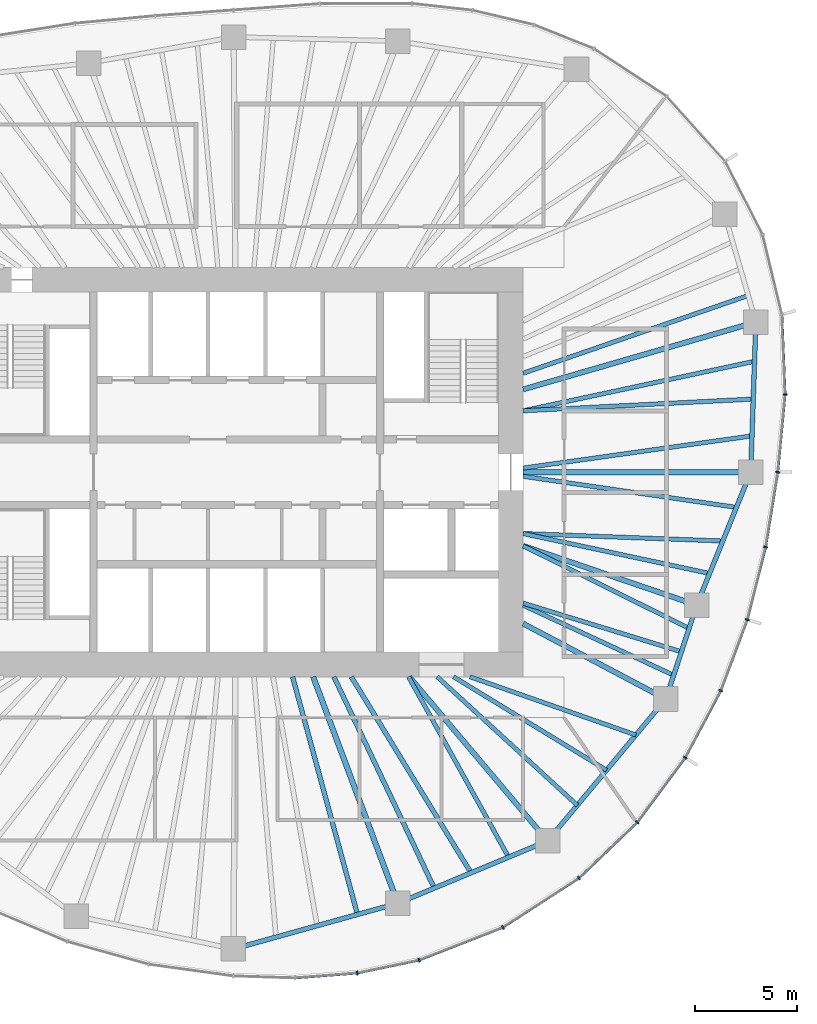
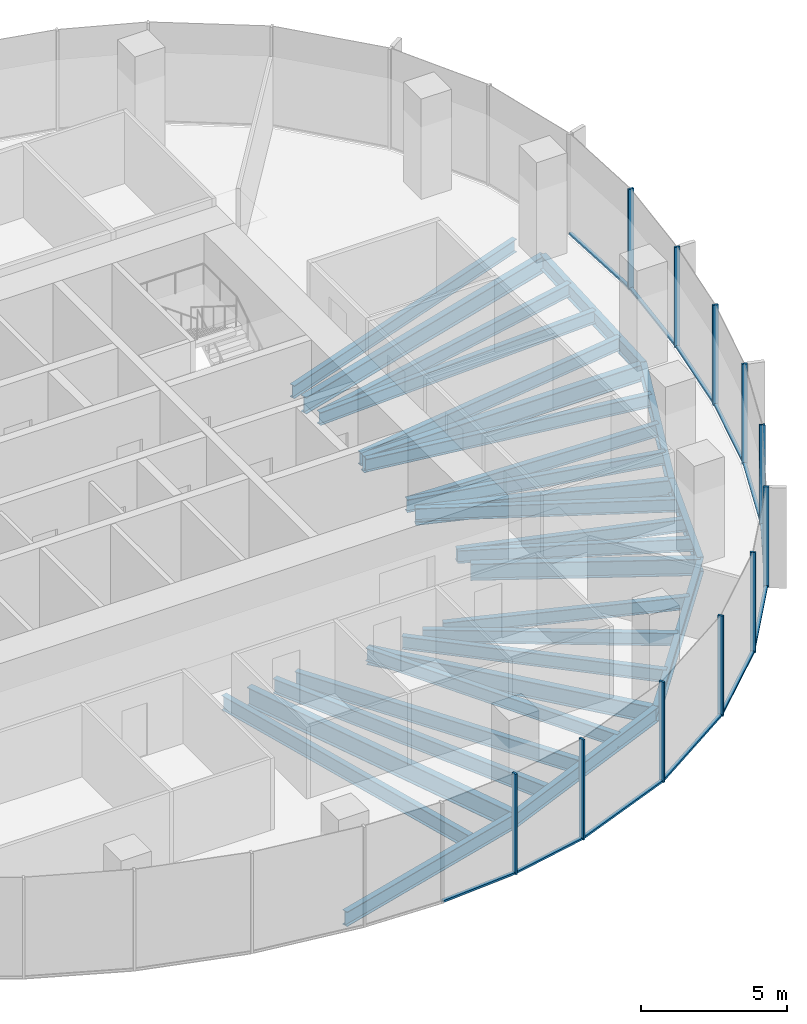
# One storey, part 4 of 12: 29 beams, 23 members, 6 elements without a shape of their own.
"""IFC4 building model written with IfcOpenShell, lengths in metres."""

from ifc_helpers import new_model, si_unit, direction, frame, origin, origin_2d, place, context, subcontext, project, spatial, rectangle, i_section, extrude, material, material_profile, profile_set, type_object, element, aggregate, save


model = new_model("IFC4")

# Units and contexts
model_context = context("Model", 3, precision=1e-05, world=origin(), true_north=direction((0.0, 1.0)))
body_context = subcontext(model_context, "Body", "Model", "MODEL_VIEW")
ifc_project = project(units=[si_unit("LENGTHUNIT", "METRE"), si_unit("AREAUNIT", "SQUARE_METRE"), si_unit("VOLUMEUNIT", "CUBIC_METRE"), si_unit("PLANEANGLEUNIT", "RADIAN"), si_unit("MASSUNIT", "GRAM", prefix="KILO")], contexts=[model_context])

# Site, building, storey
site_placement = place(None, origin())
site = spatial("IfcSite", under=ifc_project, at=site_placement, CompositionType="ELEMENT")
building_placement = place(site_placement, origin())
building = spatial("IfcBuilding", under=site, at=building_placement, Name="Ghaith Harvest Tower", CompositionType="ELEMENT")
storey_placement = place(building_placement, frame((0.0, 0.0, 236.800048828125)))
storey = spatial("IfcBuildingStorey", under=building, at=storey_placement, Name="L52", CompositionType="ELEMENT", Elevation=236.800048828125)

# Curtain wall, members
ifc_material_1 = material(Name="Black anodised aluminium and fritted glass", Category="aluminium")
curtain_wall_type = type_object("IfcCurtainWallType", Name="CW-H CURTAIN WALL", PredefinedType="NOTDEFINED", material=ifc_material_1)
curtain_wall_1_placement = place(storey_placement, origin())
curtain_wall_1 = element("IfcCurtainWall", 1, at=curtain_wall_1_placement, inside=storey, type_object=curtain_wall_type, Name="Curtain wall CW-H bay 01 L52", PredefinedType="NOTDEFINED")
ifc_material_2 = material(Name="Aluminium, black anodised", Category="aluminium")
ifc_material_profile_1 = material_profile(ifc_material_2, rectangle(XDim=0.080078125, YDim=0.199951171875, at=origin_2d()), Name="CW-H MULLION 80x200")
ifc_profile_set_1 = profile_set([ifc_material_profile_1], Name="Aluminium, black anodised")
member_type_1 = type_object("IfcMemberType", Name="CW-H MULLION 80x200", PredefinedType="MULLION", material=ifc_profile_set_1)
member_1_placement = place(storey_placement, frame((26.445068359375, 0.0, 0.0), z_axis=(0.0, 0.0, 1.0), x_axis=(0.126567624553, 0.991957981174, 0.0)))
member_1 = element("IfcMember", 2, at=member_1_placement, type_object=member_type_1, Name="CW-H mullion 1 bay 01 L52", PredefinedType="MULLION", context=body_context, shape_type="SweptSolid", body=[
    extrude(rectangle(XDim=0.080078125, YDim=0.199951171875, at=origin_2d()), origin(), (0.0, 0.0, 1.0), 4.199951171875),
])
member_2_placement = place(storey_placement, frame((26.804443359375, 3.7958984375, 0.0), z_axis=(0.0, 0.0, 1.0), x_axis=(0.026142797814, 0.999658218654, 0.0)))
member_2 = element("IfcMember", 3, at=member_2_placement, type_object=member_type_1, Name="CW-H mullion 2 bay 01 L52", PredefinedType="MULLION", context=body_context, shape_type="SweptSolid", body=[
    extrude(rectangle(XDim=0.080078125, YDim=0.199951171875, at=origin_2d()), origin(), (0.0, 0.0, 1.0), 4.199951171875),
])

# Curtain wall, member
curtain_wall_2_placement = place(storey_placement, origin())
curtain_wall_2 = element("IfcCurtainWall", 4, at=curtain_wall_2_placement, inside=storey, type_object=curtain_wall_type, Name="Curtain wall CW-H bay 16 L52", PredefinedType="NOTDEFINED")
member_3_placement = place(storey_placement, frame((5.893310546875, -24.48291015625, 0.0), z_axis=(0.0, 0.0, 1.0), x_axis=(0.989849191496, 0.142121701704, 0.0)))
member_3 = element("IfcMember", 5, at=member_3_placement, type_object=member_type_1, Name="CW-H mullion 3 bay 16 L52", PredefinedType="MULLION", context=body_context, shape_type="SweptSolid", body=[
    extrude(rectangle(XDim=0.080078125, YDim=0.199951171875, at=origin_2d()), origin(), (0.0, 0.0, 1.0), 4.199951171875),
])

# Curtain wall, members
curtain_wall_3_placement = place(storey_placement, origin())
curtain_wall_3 = element("IfcCurtainWall", 6, at=curtain_wall_3_placement, inside=storey, type_object=curtain_wall_type, Name="Curtain wall CW-H bay 17 L52", PredefinedType="NOTDEFINED")
member_4_placement = place(storey_placement, frame((8.916015625, -23.85009765625, 0.0), z_axis=(0.0, 0.0, 1.0), x_axis=(0.954029934434, 0.299711334793, 0.0)))
member_4 = element("IfcMember", 7, at=member_4_placement, type_object=member_type_1, Name="CW-H mullion 1 bay 17 L52", PredefinedType="MULLION", context=body_context, shape_type="SweptSolid", body=[
    extrude(rectangle(XDim=0.080078125, YDim=0.199951171875, at=origin_2d()), origin(), (0.0, 0.0, 1.0), 4.199951171875),
])
member_5_placement = place(storey_placement, frame((13.010009765625, -22.2470703125, 0.0), z_axis=(0.0, 0.0, 1.0), x_axis=(0.889568363425, 0.456802065225, 0.0)))
member_5 = element("IfcMember", 8, at=member_5_placement, type_object=member_type_1, Name="CW-H mullion 2 bay 17 L52", PredefinedType="MULLION", context=body_context, shape_type="SweptSolid", body=[
    extrude(rectangle(XDim=0.080078125, YDim=0.199951171875, at=origin_2d()), origin(), (0.0, 0.0, 1.0), 4.199951171875),
])

curtain_wall_4_placement = place(storey_placement, origin())
curtain_wall_4 = element("IfcCurtainWall", 9, at=curtain_wall_4_placement, inside=storey, type_object=curtain_wall_type, Name="Curtain wall CW-H bay 18 L52", PredefinedType="NOTDEFINED")
member_6_placement = place(storey_placement, frame((16.72900390625, -19.838134765625, 0.0), z_axis=(0.0, 0.0, 1.0), x_axis=(0.78784554071, 0.615872879727, 0.0)))
member_6 = element("IfcMember", 10, at=member_6_placement, type_object=member_type_1, Name="CW-H mullion 1 bay 18 L52", PredefinedType="MULLION", context=body_context, shape_type="SweptSolid", body=[
    extrude(rectangle(XDim=0.080078125, YDim=0.199951171875, at=origin_2d()), origin(), (0.0, 0.0, 1.0), 4.199951171875),
])
member_7_placement = place(storey_placement, frame((19.57421875, -17.11572265625, 0.0), z_axis=(0.0, 0.0, 1.0), x_axis=(0.661614965695, 0.749843741835, 0.0)))
member_7 = element("IfcMember", 11, at=member_7_placement, type_object=member_type_1, Name="CW-H mullion 2 bay 18 L52", PredefinedType="MULLION", context=body_context, shape_type="SweptSolid", body=[
    extrude(rectangle(XDim=0.080078125, YDim=0.199951171875, at=origin_2d()), origin(), (0.0, 0.0, 1.0), 4.199951171875),
])

curtain_wall_5_placement = place(storey_placement, origin())
curtain_wall_5 = element("IfcCurtainWall", 12, at=curtain_wall_5_placement, inside=storey, type_object=curtain_wall_type, Name="Curtain wall CW-H bay 19 L52", PredefinedType="NOTDEFINED")
member_8_placement = place(storey_placement, frame((21.922607421875, -13.951904296875, 0.0), z_axis=(0.0, 0.0, 1.0), x_axis=(0.535827198032, 0.844327669717, 0.0)))
member_8 = element("IfcMember", 13, at=member_8_placement, type_object=member_type_1, Name="CW-H mullion 1 bay 19 L52", PredefinedType="MULLION", context=body_context, shape_type="SweptSolid", body=[
    extrude(rectangle(XDim=0.080078125, YDim=0.199951171875, at=origin_2d()), origin(), (0.0, 0.0, 1.0), 4.199951171875),
])
member_9_placement = place(storey_placement, frame((23.658203125, -10.680419921875, 0.0), z_axis=(0.0, 0.0, 1.0), x_axis=(0.410429862351, 0.911892169114, 0.0)))
member_9 = element("IfcMember", 14, at=member_9_placement, type_object=member_type_1, Name="CW-H mullion 2 bay 19 L52", PredefinedType="MULLION", context=body_context, shape_type="SweptSolid", body=[
    extrude(rectangle(XDim=0.080078125, YDim=0.199951171875, at=origin_2d()), origin(), (0.0, 0.0, 1.0), 4.199951171875),
])

curtain_wall_6_placement = place(storey_placement, origin())
curtain_wall_6 = element("IfcCurtainWall", 15, at=curtain_wall_6_placement, inside=storey, type_object=curtain_wall_type, Name="Curtain wall CW-H bay 20 L52", PredefinedType="NOTDEFINED")
member_10_placement = place(storey_placement, frame((24.955810546875, -7.212890625, 0.0), z_axis=(0.0, 0.0, 1.0), x_axis=(0.298441625478, 0.954427889462, 0.0)))
member_10 = element("IfcMember", 16, at=member_10_placement, type_object=member_type_1, Name="CW-H mullion 1 bay 20 L52", PredefinedType="MULLION", context=body_context, shape_type="SweptSolid", body=[
    extrude(rectangle(XDim=0.080078125, YDim=0.199951171875, at=origin_2d()), origin(), (0.0, 0.0, 1.0), 4.199951171875),
])
member_11_placement = place(storey_placement, frame((25.85302734375, -3.6611328125, 0.0), z_axis=(0.0, 0.0, 1.0), x_axis=(0.202192370647, 0.979345825157, 0.0)))
member_11 = element("IfcMember", 17, at=member_11_placement, type_object=member_type_1, Name="CW-H mullion 2 bay 20 L52", PredefinedType="MULLION", context=body_context, shape_type="SweptSolid", body=[
    extrude(rectangle(XDim=0.080078125, YDim=0.199951171875, at=origin_2d()), origin(), (0.0, 0.0, 1.0), 4.199951171875),
])

# Member
ifc_material_3 = material(Name="Aluminium, black anodised", Category="aluminium")
ifc_material_profile_2 = material_profile(ifc_material_3, rectangle(XDim=0.1298828125, YDim=0.080078125, at=origin_2d()), Name="CW-H TRANSOM 130x80")
ifc_profile_set_2 = profile_set([ifc_material_profile_2], Name="Aluminium, black anodised")
member_type_2 = type_object("IfcMemberType", Name="CW-H TRANSOM 130x80", PredefinedType="USERDEFINED", material=ifc_profile_set_2)
member_12_placement = place(storey_placement, frame((26.44873046875, 0.039794921875, 0.0400390625), z_axis=(0.094309089207, 0.995542965267, 0.0), x_axis=(-0.995542965267, 0.094309089207, 0.0)))
member_12 = element("IfcMember", 18, at=member_12_placement, type_object=member_type_2, Name="CW-H transom 1 bay 01 L52", ObjectType="TRANSOM", PredefinedType="USERDEFINED", context=body_context, shape_type="SweptSolid", body=[
    extrude(rectangle(XDim=0.1298828125, YDim=0.080078125, at=origin_2d()), origin(), (0.0, 0.0, 1.0), 3.73291015625),
])

member_13_placement = place(storey_placement, frame((26.802978515625, 3.8359375, 0.0400390625), z_axis=(-0.040492641284, 0.999179836667, 0.0), x_axis=(-0.999179836667, -0.040492641284, 0.0)))
member_13 = element("IfcMember", 19, at=member_13_placement, type_object=member_type_2, Name="CW-H transom 2 bay 01 L52", ObjectType="TRANSOM", PredefinedType="USERDEFINED", context=body_context, shape_type="SweptSolid", body=[
    extrude(rectangle(XDim=0.1298828125, YDim=0.080078125, at=origin_2d()), origin(), (0.0, 0.0, 1.0), 3.82861328125),
])

aggregate(curtain_wall_1, [member_1, member_12, member_2, member_13])

member_14_placement = place(storey_placement, frame((2.8876953125, -24.71826171875, 0.0400390625), z_axis=(0.996949781933, 0.078045706505, 0.0), x_axis=(-0.078045706505, 0.996949781933, 0.0)))
member_14 = element("IfcMember", 20, at=member_14_placement, type_object=member_type_2, Name="CW-H transom 2 bay 16 L52", ObjectType="TRANSOM", PredefinedType="USERDEFINED", context=body_context, shape_type="SweptSolid", body=[
    extrude(rectangle(XDim=0.1298828125, YDim=0.080078125, at=origin_2d()), origin(), (0.0, 0.0, 1.0), 2.974853515625),
])

member_15_placement = place(storey_placement, frame((5.932373046875, -24.474609375, 0.0400390625), z_axis=(0.978797058213, 0.204832416461, 0.0), x_axis=(-0.204832416461, 0.978797058213, 0.0)))
member_15 = element("IfcMember", 21, at=member_15_placement, type_object=member_type_2, Name="CW-H transom 3 bay 16 L52", ObjectType="TRANSOM", PredefinedType="USERDEFINED", context=body_context, shape_type="SweptSolid", body=[
    extrude(rectangle(XDim=0.1298828125, YDim=0.080078125, at=origin_2d()), origin(), (0.0, 0.0, 1.0), 3.00830078125),
])

aggregate(curtain_wall_2, [member_14, member_3, member_15])

member_16_placement = place(storey_placement, frame((8.953369140625, -23.835693359375, 0.0400390625), z_axis=(0.931147615871, 0.364642451529, 0.0), x_axis=(-0.364642451529, 0.931147615871, 0.0)))
member_16 = element("IfcMember", 22, at=member_16_placement, type_object=member_type_2, Name="CW-H transom 1 bay 17 L52", ObjectType="TRANSOM", PredefinedType="USERDEFINED", context=body_context, shape_type="SweptSolid", body=[
    extrude(rectangle(XDim=0.1298828125, YDim=0.080078125, at=origin_2d()), origin(), (0.0, 0.0, 1.0), 4.31640625),
])

member_17_placement = place(storey_placement, frame((13.04345703125, -22.225341796875, 0.0400390625), z_axis=(0.839306610985, 0.543658360331, 0.0), x_axis=(-0.543658360331, 0.839306610985, 0.0)))
member_17 = element("IfcMember", 23, at=member_17_placement, type_object=member_type_2, Name="CW-H transom 2 bay 17 L52", ObjectType="TRANSOM", PredefinedType="USERDEFINED", context=body_context, shape_type="SweptSolid", body=[
    extrude(rectangle(XDim=0.1298828125, YDim=0.080078125, at=origin_2d()), origin(), (0.0, 0.0, 1.0), 4.35107421875),
])

aggregate(curtain_wall_3, [member_4, member_16, member_5, member_17])

member_18_placement = place(storey_placement, frame((16.7578125, -19.810546875, 0.0400390625), z_axis=(0.722533278657, 0.691336141998, 0.0), x_axis=(-0.691336141998, 0.722533278657, 0.0)))
member_18 = element("IfcMember", 24, at=member_18_placement, type_object=member_type_2, Name="CW-H transom 1 bay 18 L52", ObjectType="TRANSOM", PredefinedType="USERDEFINED", context=body_context, shape_type="SweptSolid", body=[
    extrude(rectangle(XDim=0.1298828125, YDim=0.080078125, at=origin_2d()), origin(), (0.0, 0.0, 1.0), 3.858154296875),
])

member_19_placement = place(storey_placement, frame((19.59814453125, -17.083740234375, 0.0400390625), z_axis=(0.595995597074, 0.802987701194, 0.0), x_axis=(-0.802987701194, 0.595995597074, 0.0)))
member_19 = element("IfcMember", 25, at=member_19_placement, type_object=member_type_2, Name="CW-H transom 2 bay 18 L52", ObjectType="TRANSOM", PredefinedType="USERDEFINED", context=body_context, shape_type="SweptSolid", body=[
    extrude(rectangle(XDim=0.1298828125, YDim=0.080078125, at=origin_2d()), origin(), (0.0, 0.0, 1.0), 3.8603515625),
])

aggregate(curtain_wall_4, [member_6, member_18, member_7, member_19])

member_20_placement = place(storey_placement, frame((21.94140625, -13.91650390625, 0.0400390625), z_axis=(0.468646057757, 0.883386026915, 0.0), x_axis=(-0.883386026915, 0.468646057757, 0.0)))
member_20 = element("IfcMember", 26, at=member_20_placement, type_object=member_type_2, Name="CW-H transom 1 bay 19 L52", ObjectType="TRANSOM", PredefinedType="USERDEFINED", context=body_context, shape_type="SweptSolid", body=[
    extrude(rectangle(XDim=0.1298828125, YDim=0.080078125, at=origin_2d()), origin(), (0.0, 0.0, 1.0), 3.623291015625),
])

member_21_placement = place(storey_placement, frame((23.672119140625, -10.64306640625, 0.0400390625), z_axis=(0.350510368091, 0.936558851253, 0.0), x_axis=(-0.936558851253, 0.350510368091, 0.0)))
member_21 = element("IfcMember", 27, at=member_21_placement, type_object=member_type_2, Name="CW-H transom 2 bay 19 L52", ObjectType="TRANSOM", PredefinedType="USERDEFINED", context=body_context, shape_type="SweptSolid", body=[
    extrude(rectangle(XDim=0.1298828125, YDim=0.080078125, at=origin_2d()), origin(), (0.0, 0.0, 1.0), 3.62255859375),
])

aggregate(curtain_wall_5, [member_8, member_20, member_9, member_21])

member_22_placement = place(storey_placement, frame((24.965576171875, -7.174072265625, 0.0400390625), z_axis=(0.244939588347, 0.969538342749, 0.0), x_axis=(-0.969538342749, 0.244939588347, 0.0)))
member_22 = element("IfcMember", 28, at=member_22_placement, type_object=member_type_2, Name="CW-H transom 1 bay 20 L52", ObjectType="TRANSOM", PredefinedType="USERDEFINED", context=body_context, shape_type="SweptSolid", body=[
    extrude(rectangle(XDim=0.1298828125, YDim=0.080078125, at=origin_2d()), origin(), (0.0, 0.0, 1.0), 3.583251953125),
])

member_23_placement = place(storey_placement, frame((25.859375, -3.62158203125, 0.0400390625), z_axis=(0.159661845696, 0.987171765717, 0.0), x_axis=(-0.987171765717, 0.159661845696, 0.0)))
member_23 = element("IfcMember", 29, at=member_23_placement, type_object=member_type_2, Name="CW-H transom 2 bay 20 L52", ObjectType="TRANSOM", PredefinedType="USERDEFINED", context=body_context, shape_type="SweptSolid", body=[
    extrude(rectangle(XDim=0.1298828125, YDim=0.080078125, at=origin_2d()), origin(), (0.0, 0.0, 1.0), 3.628662109375),
])

aggregate(curtain_wall_6, [member_10, member_22, member_11, member_23])

# Beams
ifc_material_4 = material(Name="Steel ASTM A992 Grade 50", Category="steel")
ifc_material_profile_3 = material_profile(ifc_material_4, i_section(OverallWidth=0.22900390625, OverallDepth=0.612060546875, WebThickness=0.011962890625, FlangeThickness=0.01953125, at=origin_2d()), Name="W610X125")
ifc_profile_set_3 = profile_set([ifc_material_profile_3], Name="Steel ASTM A992 Grade 50")
beam_type_1 = type_object("IfcBeamType", Name="E610-125 W610X125", PredefinedType="SPANDREL", material=ifc_profile_set_3)
beam_1_placement = place(storey_placement, frame((25.125, 0.0, -0.47607421875), z_axis=(0.03446227584, 0.999405999354, 0.0), x_axis=(-0.999405999354, 0.03446227584, 0.0)))
element("IfcBeam", 30, at=beam_1_placement, inside=storey, type_object=beam_type_1, Name="Edge beam E01 L52", PredefinedType="SPANDREL", context=body_context, shape_type="SweptSolid", body=[
    extrude(i_section(OverallWidth=0.22900390625, OverallDepth=0.612060546875, WebThickness=0.011962890625, FlangeThickness=0.01953125, at=origin_2d()), origin(), (0.0, 0.0, 1.0), 7.33935546875),
])
beam_2_placement = place(storey_placement, frame((-0.158935546875, -23.304931640625, -0.47607421875), z_axis=(0.963504070594, 0.267693679323, 0.0), x_axis=(-0.267693679323, 0.963504070594, 0.0)))
element("IfcBeam", 31, at=beam_2_placement, inside=storey, type_object=beam_type_1, Name="Edge beam E16 L52", PredefinedType="SPANDREL", context=body_context, shape_type="SweptSolid", body=[
    extrude(i_section(OverallWidth=0.22900390625, OverallDepth=0.612060546875, WebThickness=0.011962890625, FlangeThickness=0.01953125, at=origin_2d()), origin(), (0.0, 0.0, 1.0), 8.34130859375),
])
beam_3_placement = place(storey_placement, frame((7.8779296875, -21.072021484375, -0.47607421875), z_axis=(0.923119729219, 0.384512633766, 0.0), x_axis=(-0.384512633766, 0.923119729219, 0.0)))
element("IfcBeam", 32, at=beam_3_placement, inside=storey, type_object=beam_type_1, Name="Edge beam E17 L52", PredefinedType="SPANDREL", context=body_context, shape_type="SweptSolid", body=[
    extrude(i_section(OverallWidth=0.22900390625, OverallDepth=0.612060546875, WebThickness=0.011962890625, FlangeThickness=0.01953125, at=origin_2d()), origin(), (0.0, 0.0, 1.0), 7.9296875),
])
beam_4_placement = place(storey_placement, frame((15.197998046875, -18.02294921875, -0.47607421875), z_axis=(0.640173759088, 0.76823014662, 0.0), x_axis=(-0.76823014662, 0.640173759088, 0.0)))
element("IfcBeam", 33, at=beam_4_placement, inside=storey, type_object=beam_type_1, Name="Edge beam E18 L52", PredefinedType="SPANDREL", context=body_context, shape_type="SweptSolid", body=[
    extrude(i_section(OverallWidth=0.22900390625, OverallDepth=0.612060546875, WebThickness=0.011962890625, FlangeThickness=0.01953125, at=origin_2d()), origin(), (0.0, 0.0, 1.0), 9.02734375),
])
beam_5_placement = place(storey_placement, frame((20.97705078125, -11.087890625, -0.47607421875), z_axis=(0.312206727278, 0.950014189074, 0.0), x_axis=(-0.950014189074, 0.312206727278, 0.0)))
element("IfcBeam", 34, at=beam_5_placement, inside=storey, type_object=beam_type_1, Name="Edge beam E19 L52", PredefinedType="SPANDREL", context=body_context, shape_type="SweptSolid", body=[
    extrude(i_section(OverallWidth=0.22900390625, OverallDepth=0.612060546875, WebThickness=0.011962890625, FlangeThickness=0.01953125, at=origin_2d()), origin(), (0.0, 0.0, 1.0), 4.830322265625),
])
beam_6_placement = place(storey_placement, frame((22.485107421875, -6.4990234375, -0.47607421875), z_axis=(0.376335970246, 0.926483263475, 0.0), x_axis=(-0.926483263475, 0.376335970246, 0.0)))
element("IfcBeam", 35, at=beam_6_placement, inside=storey, type_object=beam_type_1, Name="Edge beam E20 L52", PredefinedType="SPANDREL", context=body_context, shape_type="SweptSolid", body=[
    extrude(i_section(OverallWidth=0.22900390625, OverallDepth=0.612060546875, WebThickness=0.011962890625, FlangeThickness=0.01953125, at=origin_2d()), origin(), (0.0, 0.0, 1.0), 7.0146484375),
])
ifc_material_5 = material(Name="Steel ASTM A992 Grade 50", Category="steel")
ifc_material_profile_4 = material_profile(ifc_material_5, i_section(OverallWidth=0.256103515625, OverallDepth=0.693115234375, WebThickness=0.014404296875, FlangeThickness=0.023681640625, at=origin_2d()), Name="W690X170")
ifc_profile_set_4 = profile_set([ifc_material_profile_4], Name="Steel ASTM A992 Grade 50")
beam_type_2 = type_object("IfcBeamType", Name="G690-170 W690X170", PredefinedType="BEAM", material=ifc_profile_set_4)
beam_7_placement = place(storey_placement, frame((14.0, 0.0, -0.5166015625), z_axis=(1.0, 0.0, 0.0), x_axis=(0.0, 1.0, 0.0)))
element("IfcBeam", 36, at=beam_7_placement, inside=storey, type_object=beam_type_2, Name="Radial girder G01 L52", PredefinedType="BEAM", context=body_context, shape_type="SweptSolid", body=[
    extrude(i_section(OverallWidth=0.256103515625, OverallDepth=0.693115234375, WebThickness=0.014404296875, FlangeThickness=0.023681640625, at=origin_2d()), origin(), (0.0, 0.0, 1.0), 11.125),
])
beam_8_placement = place(storey_placement, frame((14.0, 4.04638671875, -0.5166015625), z_axis=(0.960677776578, 0.277665643518, 0.0), x_axis=(-0.277665643518, 0.960677776578, 0.0)))
element("IfcBeam", 37, at=beam_8_placement, inside=storey, type_object=beam_type_2, Name="Radial girder G02 L52", PredefinedType="BEAM", context=body_context, shape_type="SweptSolid", body=[
    extrude(i_section(OverallWidth=0.256103515625, OverallDepth=0.693115234375, WebThickness=0.014404296875, FlangeThickness=0.023681640625, at=origin_2d()), origin(), (0.0, 0.0, 1.0), 11.84375),
])
beam_9_placement = place(storey_placement, frame((8.4326171875, -10.0, -0.5166015625), z_axis=(0.644649240595, -0.764478486682, 0.0), x_axis=(0.764478486682, 0.644649240595, 0.0)))
element("IfcBeam", 38, at=beam_9_placement, inside=storey, type_object=beam_type_2, Name="Radial girder G18 L52", PredefinedType="BEAM", context=body_context, shape_type="SweptSolid", body=[
    extrude(i_section(OverallWidth=0.256103515625, OverallDepth=0.693115234375, WebThickness=0.014404296875, FlangeThickness=0.023681640625, at=origin_2d()), origin(), (0.0, 0.0, 1.0), 10.49462890625),
])
beam_10_placement = place(storey_placement, frame((14.0, -7.39990234375, -0.5166015625), z_axis=(0.884088732293, -0.467319070264, 0.0), x_axis=(0.467319070264, 0.884088732293, 0.0)))
element("IfcBeam", 39, at=beam_10_placement, inside=storey, type_object=beam_type_2, Name="Radial girder G19 L52", PredefinedType="BEAM", context=body_context, shape_type="SweptSolid", body=[
    extrude(i_section(OverallWidth=0.256103515625, OverallDepth=0.693115234375, WebThickness=0.014404296875, FlangeThickness=0.023681640625, at=origin_2d()), origin(), (0.0, 0.0, 1.0), 7.891845703125),
])
beam_11_placement = place(storey_placement, frame((14.0, -3.60009765625, -0.5166015625), z_axis=(0.94629622913, -0.323300861018, 0.0), x_axis=(0.323300861018, 0.94629622913, 0.0)))
element("IfcBeam", 40, at=beam_11_placement, inside=storey, type_object=beam_type_2, Name="Radial girder G20 L52", PredefinedType="BEAM", context=body_context, shape_type="SweptSolid", body=[
    extrude(i_section(OverallWidth=0.256103515625, OverallDepth=0.693115234375, WebThickness=0.014404296875, FlangeThickness=0.023681640625, at=origin_2d()), origin(), (0.0, 0.0, 1.0), 8.966552734375),
])
ifc_material_6 = material(Name="Steel ASTM A992 Grade 50", Category="steel")
ifc_material_profile_5 = material_profile(ifc_material_6, i_section(OverallWidth=0.26806640625, OverallDepth=0.77001953125, WebThickness=0.015625, FlangeThickness=0.025390625, at=origin_2d()), Name="W760X196")
ifc_profile_set_5 = profile_set([ifc_material_profile_5], Name="Steel ASTM A992 Grade 50")
beam_type_3 = type_object("IfcBeamType", Name="G760-196 W760X196", PredefinedType="BEAM", material=ifc_profile_set_5)
beam_12_placement = place(storey_placement, frame((3.73828125, -10.0, -0.554931640625), z_axis=(0.350206582147, -0.936672488024, 0.0), x_axis=(0.936672488024, 0.350206582147, 0.0)))
element("IfcBeam", 41, at=beam_12_placement, inside=storey, type_object=beam_type_3, Name="Radial girder G17 L52", PredefinedType="BEAM", context=body_context, shape_type="SweptSolid", body=[
    extrude(i_section(OverallWidth=0.26806640625, OverallDepth=0.77001953125, WebThickness=0.015625, FlangeThickness=0.025390625, at=origin_2d()), origin(), (0.0, 0.0, 1.0), 11.820556640625),
])
ifc_material_7 = material(Name="Steel ASTM A992 Grade 50", Category="steel")
ifc_material_profile_6 = material_profile(ifc_material_7, i_section(OverallWidth=0.2109375, OverallDepth=0.5390625, WebThickness=0.01171875, FlangeThickness=0.018798828125, at=origin_2d()), Name="W530X109")
ifc_profile_set_6 = profile_set([ifc_material_profile_6], Name="Steel ASTM A992 Grade 50")
beam_type_4 = type_object("IfcBeamType", Name="J530-109 W530X109", PredefinedType="JOIST", material=ifc_profile_set_6)
beam_13_placement = place(storey_placement, frame((14.0, 0.199951171875, -0.439453125), z_axis=(0.990239574724, 0.139375696052, 0.0), x_axis=(-0.139375696052, 0.990239574724, 0.0)))
element("IfcBeam", 42, at=beam_13_placement, inside=storey, type_object=beam_type_4, Name="Joist J01.1 L52", PredefinedType="JOIST", context=body_context, shape_type="SweptSolid", body=[
    extrude(i_section(OverallWidth=0.2109375, OverallDepth=0.5390625, WebThickness=0.01171875, FlangeThickness=0.018798828125, at=origin_2d()), origin(), (0.0, 0.0, 1.0), 11.296630859375),
])
beam_14_placement = place(storey_placement, frame((14.0, 3.0, -0.439453125), z_axis=(0.998693995267, 0.051091132482, 0.0), x_axis=(-0.051091132482, 0.998693995267, 0.0)))
element("IfcBeam", 43, at=beam_14_placement, inside=storey, type_object=beam_type_4, Name="Joist J01.2 L52", PredefinedType="JOIST", context=body_context, shape_type="SweptSolid", body=[
    extrude(i_section(OverallWidth=0.2109375, OverallDepth=0.5390625, WebThickness=0.01171875, FlangeThickness=0.018798828125, at=origin_2d()), origin(), (0.0, 0.0, 1.0), 11.262939453125),
])
beam_15_placement = place(storey_placement, frame((14.0, 3.0, -0.439453125), z_axis=(0.977840076912, 0.209353251672, 0.0), x_axis=(-0.209353251672, 0.977840076912, 0.0)))
element("IfcBeam", 44, at=beam_15_placement, inside=storey, type_object=beam_type_4, Name="Joist J01.3 L52", PredefinedType="JOIST", context=body_context, shape_type="SweptSolid", body=[
    extrude(i_section(OverallWidth=0.2109375, OverallDepth=0.5390625, WebThickness=0.01171875, FlangeThickness=0.018798828125, at=origin_2d()), origin(), (0.0, 0.0, 1.0), 11.568359375),
])
beam_16_placement = place(storey_placement, frame((14.0, 4.835693359375, -0.439453125), z_axis=(0.945202328042, 0.326485159025, 0.0), x_axis=(-0.326485159025, 0.945202328042, 0.0)))
element("IfcBeam", 45, at=beam_16_placement, inside=storey, type_object=beam_type_4, Name="Joist J02.1 L52", PredefinedType="JOIST", context=body_context, shape_type="SweptSolid", body=[
    extrude(i_section(OverallWidth=0.2109375, OverallDepth=0.5390625, WebThickness=0.01171875, FlangeThickness=0.018798828125, at=origin_2d()), origin(), (0.0, 0.0, 1.0), 11.63916015625),
])
beam_17_placement = place(storey_placement, frame((8.39990234375, -10.0, -0.439453125), z_axis=(0.484919107871, -0.874559008199, 0.0), x_axis=(0.874559008199, 0.484919107871, 0.0)))
element("IfcBeam", 46, at=beam_17_placement, inside=storey, type_object=beam_type_4, Name="Joist J17.3 L52", PredefinedType="JOIST", context=body_context, shape_type="SweptSolid", body=[
    extrude(i_section(OverallWidth=0.2109375, OverallDepth=0.5390625, WebThickness=0.01171875, FlangeThickness=0.018798828125, at=origin_2d()), origin(), (0.0, 0.0, 1.0), 10.0830078125),
])
beam_18_placement = place(storey_placement, frame((9.800048828125, -10.0, -0.439453125), z_axis=(0.736998187228, -0.675894719629, 0.0), x_axis=(0.675894719629, 0.736998187228, 0.0)))
element("IfcBeam", 47, at=beam_18_placement, inside=storey, type_object=beam_type_4, Name="Joist J18.1 L52", PredefinedType="JOIST", context=body_context, shape_type="SweptSolid", body=[
    extrude(i_section(OverallWidth=0.2109375, OverallDepth=0.5390625, WebThickness=0.01171875, FlangeThickness=0.018798828125, at=origin_2d()), origin(), (0.0, 0.0, 1.0), 9.293701171875),
])
beam_19_placement = place(storey_placement, frame((14.0, -3.0, -0.439453125), z_axis=(0.977841497168, -0.209346617877, 0.0), x_axis=(0.209346617877, 0.977841497168, 0.0)))
element("IfcBeam", 48, at=beam_19_placement, inside=storey, type_object=beam_type_4, Name="Joist J20.1 L52", PredefinedType="JOIST", context=body_context, shape_type="SweptSolid", body=[
    extrude(i_section(OverallWidth=0.2109375, OverallDepth=0.5390625, WebThickness=0.01171875, FlangeThickness=0.018798828125, at=origin_2d()), origin(), (0.0, 0.0, 1.0), 9.3203125),
])
beam_20_placement = place(storey_placement, frame((14.0, -3.0, -0.439453125), z_axis=(0.999303105315, -0.037326983644, 0.0), x_axis=(0.037326983644, 0.999303105315, 0.0)))
element("IfcBeam", 49, at=beam_20_placement, inside=storey, type_object=beam_type_4, Name="Joist J20.2 L52", PredefinedType="JOIST", context=body_context, shape_type="SweptSolid", body=[
    extrude(i_section(OverallWidth=0.2109375, OverallDepth=0.5390625, WebThickness=0.01171875, FlangeThickness=0.018798828125, at=origin_2d()), origin(), (0.0, 0.0, 1.0), 9.76513671875),
])
beam_21_placement = place(storey_placement, frame((14.0, -0.199951171875, -0.439453125), z_axis=(0.989525259022, -0.144359834294, 0.0), x_axis=(0.144359834294, 0.989525259022, 0.0)))
element("IfcBeam", 50, at=beam_21_placement, inside=storey, type_object=beam_type_4, Name="Joist J20.3 L52", PredefinedType="JOIST", context=body_context, shape_type="SweptSolid", body=[
    extrude(i_section(OverallWidth=0.2109375, OverallDepth=0.5390625, WebThickness=0.01171875, FlangeThickness=0.018798828125, at=origin_2d()), origin(), (0.0, 0.0, 1.0), 10.5361328125),
])
ifc_material_8 = material(Name="Steel ASTM A992 Grade 50", Category="steel")
ifc_material_profile_7 = material_profile(ifc_material_8, i_section(OverallWidth=0.208984375, OverallDepth=0.532958984375, WebThickness=0.01025390625, FlangeThickness=0.015625, at=origin_2d()), Name="W530X92")
ifc_profile_set_7 = profile_set([ifc_material_profile_7], Name="Steel ASTM A992 Grade 50")
beam_type_5 = type_object("IfcBeamType", Name="J530-92 W530X92", PredefinedType="JOIST", material=ifc_profile_set_7)
beam_22_placement = place(storey_placement, frame((10.60009765625, -10.0, -0.4365234375), z_axis=(0.853467052113, -0.521146803654, 0.0), x_axis=(0.521146803654, 0.853467052113, 0.0)))
element("IfcBeam", 51, at=beam_22_placement, inside=storey, type_object=beam_type_5, Name="Joist J18.2 L52", PredefinedType="JOIST", context=body_context, shape_type="SweptSolid", body=[
    extrude(i_section(OverallWidth=0.208984375, OverallDepth=0.532958984375, WebThickness=0.01025390625, FlangeThickness=0.015625, at=origin_2d()), origin(), (0.0, 0.0, 1.0), 8.76220703125),
])
beam_23_placement = place(storey_placement, frame((11.39990234375, -10.0, -0.4365234375), z_axis=(0.943605274188, -0.331072630285, 0.0), x_axis=(0.331072630285, 0.943605274188, 0.0)))
element("IfcBeam", 52, at=beam_23_placement, inside=storey, type_object=beam_type_5, Name="Joist J18.3 L52", PredefinedType="JOIST", context=body_context, shape_type="SweptSolid", body=[
    extrude(i_section(OverallWidth=0.208984375, OverallDepth=0.532958984375, WebThickness=0.01025390625, FlangeThickness=0.015625, at=origin_2d()), origin(), (0.0, 0.0, 1.0), 8.596923828125),
])
beam_24_placement = place(storey_placement, frame((14.0, -6.506103515625, -0.4365234375), z_axis=(0.906865270415, -0.421420670251, 0.0), x_axis=(0.421420670251, 0.906865270415, 0.0)))
element("IfcBeam", 53, at=beam_24_placement, inside=storey, type_object=beam_type_5, Name="Joist J19.1 L52", PredefinedType="JOIST", context=body_context, shape_type="SweptSolid", body=[
    extrude(i_section(OverallWidth=0.208984375, OverallDepth=0.532958984375, WebThickness=0.01025390625, FlangeThickness=0.015625, at=origin_2d()), origin(), (0.0, 0.0, 1.0), 8.11474609375),
])
beam_25_placement = place(storey_placement, frame((14.0, -6.39990234375, -0.4365234375), z_axis=(0.955870927609, -0.293786946192, 0.0), x_axis=(0.293786946192, 0.955870927609, 0.0)))
element("IfcBeam", 54, at=beam_25_placement, inside=storey, type_object=beam_type_5, Name="Joist J19.2 L52", PredefinedType="JOIST", context=body_context, shape_type="SweptSolid", body=[
    extrude(i_section(OverallWidth=0.208984375, OverallDepth=0.532958984375, WebThickness=0.01025390625, FlangeThickness=0.015625, at=origin_2d()), origin(), (0.0, 0.0, 1.0), 8.09326171875),
])
beam_26_placement = place(storey_placement, frame((14.0, -3.60009765625, -0.4365234375), z_axis=(0.89523949078, -0.445585293909, 0.0), x_axis=(0.445585293909, 0.89523949078, 0.0)))
element("IfcBeam", 55, at=beam_26_placement, inside=storey, type_object=beam_type_5, Name="Joist J19.3 L52", PredefinedType="JOIST", context=body_context, shape_type="SweptSolid", body=[
    extrude(i_section(OverallWidth=0.208984375, OverallDepth=0.532958984375, WebThickness=0.01025390625, FlangeThickness=0.015625, at=origin_2d()), origin(), (0.0, 0.0, 1.0), 9.060302734375),
])
ifc_material_9 = material(Name="Steel ASTM A992 Grade 50", Category="steel")
ifc_material_profile_8 = material_profile(ifc_material_9, i_section(OverallWidth=0.22900390625, OverallDepth=0.612060546875, WebThickness=0.011962890625, FlangeThickness=0.01953125, at=origin_2d()), Name="W610X125")
ifc_profile_set_8 = profile_set([ifc_material_profile_8], Name="Steel ASTM A992 Grade 50")
beam_type_6 = type_object("IfcBeamType", Name="J610-125 W610X125", PredefinedType="JOIST", material=ifc_profile_set_8)
beam_27_placement = place(storey_placement, frame((2.73095703125, -10.0, -0.47607421875), z_axis=(0.263456947705, -0.964671154698, 0.0), x_axis=(0.964671154698, 0.263456947705, 0.0)))
element("IfcBeam", 56, at=beam_27_placement, inside=storey, type_object=beam_type_6, Name="Joist J16.3 L52", PredefinedType="JOIST", context=body_context, shape_type="SweptSolid", body=[
    extrude(i_section(OverallWidth=0.22900390625, OverallDepth=0.612060546875, WebThickness=0.011962890625, FlangeThickness=0.01953125, at=origin_2d()), origin(), (0.0, 0.0, 1.0), 12.0458984375),
])
beam_28_placement = place(storey_placement, frame((4.75, -10.0, -0.47607421875), z_axis=(0.429080762264, -0.90326612881, 0.0), x_axis=(0.90326612881, 0.429080762264, 0.0)))
element("IfcBeam", 57, at=beam_28_placement, inside=storey, type_object=beam_type_6, Name="Joist J17.1 L52", PredefinedType="JOIST", context=body_context, shape_type="SweptSolid", body=[
    extrude(i_section(OverallWidth=0.22900390625, OverallDepth=0.612060546875, WebThickness=0.011962890625, FlangeThickness=0.01953125, at=origin_2d()), origin(), (0.0, 0.0, 1.0), 11.437255859375),
])
beam_29_placement = place(storey_placement, frame((5.60009765625, -10.0, -0.47607421875), z_axis=(0.521165912119, -0.853455383746, 0.0), x_axis=(0.853455383746, 0.521165912119, 0.0)))
element("IfcBeam", 58, at=beam_29_placement, inside=storey, type_object=beam_type_6, Name="Joist J17.2 L52", PredefinedType="JOIST", context=body_context, shape_type="SweptSolid", body=[
    extrude(i_section(OverallWidth=0.22900390625, OverallDepth=0.612060546875, WebThickness=0.011962890625, FlangeThickness=0.01953125, at=origin_2d()), origin(), (0.0, 0.0, 1.0), 11.228759765625),
])

save(model, "model.ifc")
